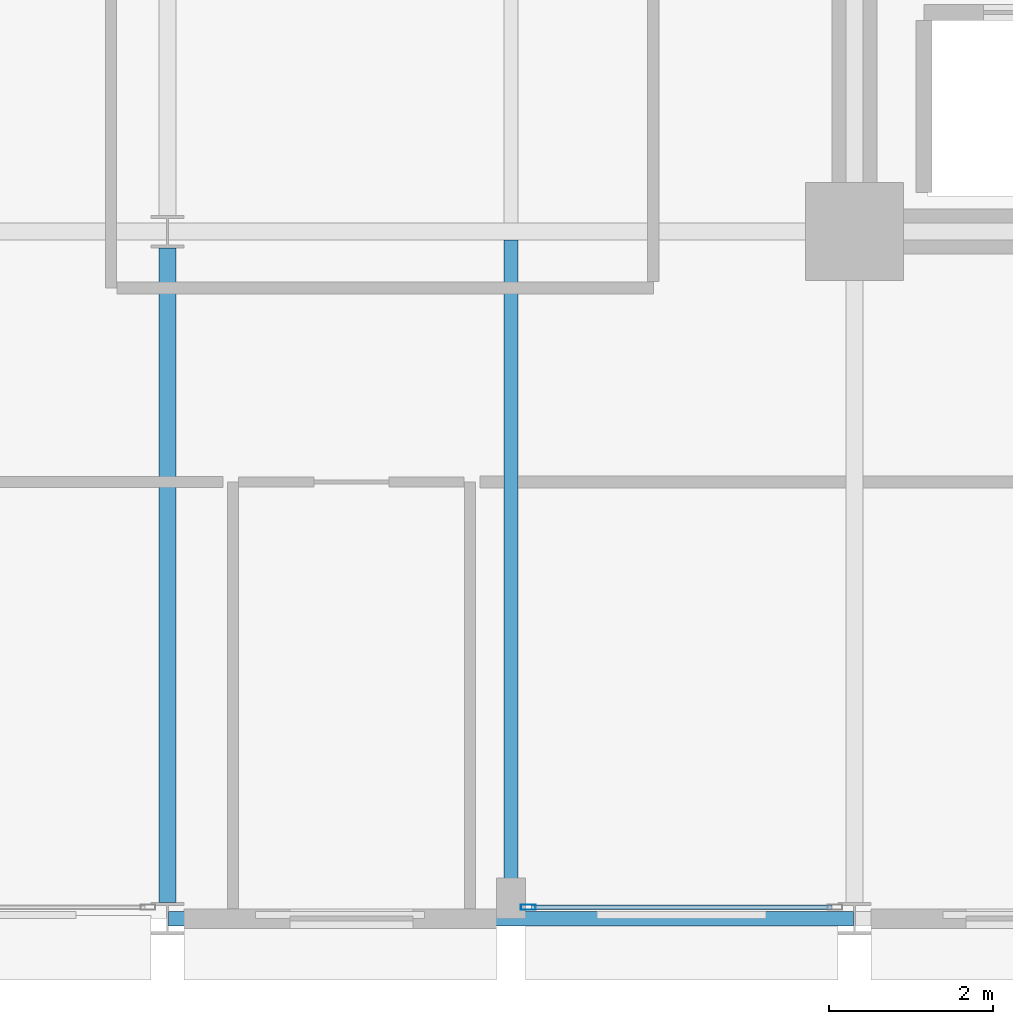
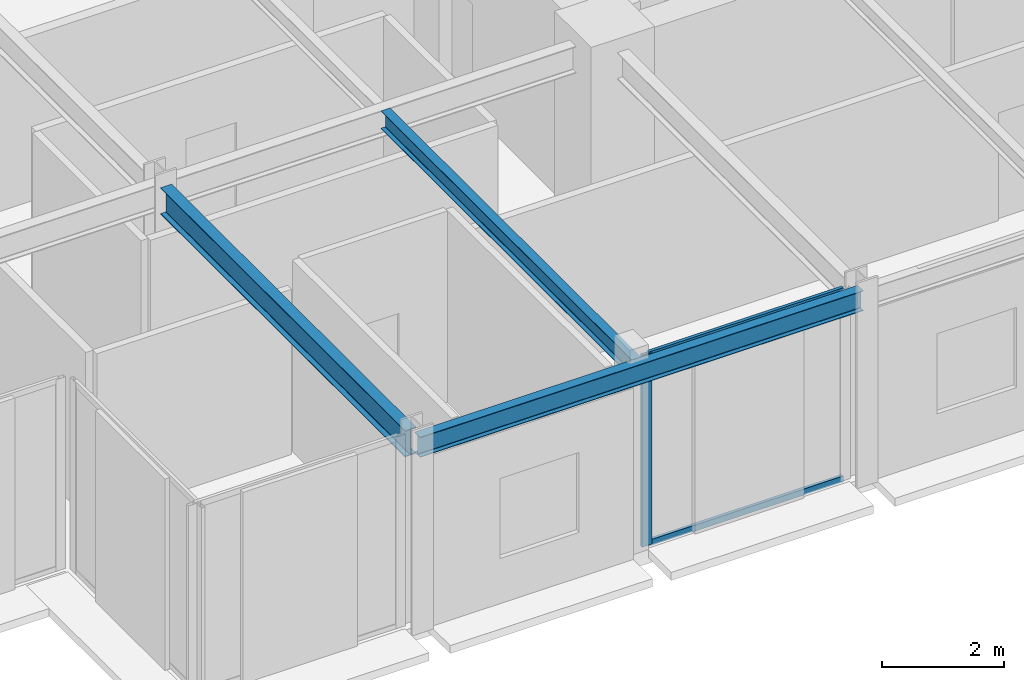
# One storey, part 5 of 39: 3 beams, 3 members, 1 element without a shape of its own.
"""IFC4 building model written with IfcOpenShell, lengths in metres."""

import ifcopenshell
import ifcopenshell.guid

model = None  # the IFC model being written
_history = None  # IfcOwnerHistory: only IFC2X3 demands one
_inside = {}  # id of a spatial element -> (the spatial element, [elements in it])
_under = {}  # id of a project, library or spatial element -> (it, [spatial elements below it])
_declared = {}  # id of a project -> (the project, [libraries it declares])
_typed = {}  # id of a type object -> (the type object, [elements of that type])
_made_of = {}  # id of a material, layer set ... -> (it, [elements and type objects made of it])


def new_model(schema):
    """Start an empty IFC model of exactly this schema.

    Asked for "IFC4X3", IfcOpenShell would pick the latest addendum, in which some entities
    have other attributes; the version numbers below select the first issue.
    IFC2X3 requires an IfcOwnerHistory on every rooted entity: one is made here for all.
    """
    global model, _history
    if schema == "IFC4X3":
        model = ifcopenshell.file(schema_version=(4, 3, 0, 0))
    else:
        model = ifcopenshell.file(schema=schema)
    _inside.clear()
    _under.clear()
    _declared.clear()
    _typed.clear()
    _made_of.clear()
    _history = None
    if model.schema == "IFC2X3":
        org = make("IfcOrganization", Name="unknown")
        user = make(
            "IfcPersonAndOrganization",
            ThePerson=make("IfcPerson", FamilyName="unknown"),
            TheOrganization=org,
        )
        app = make(
            "IfcApplication",
            ApplicationDeveloper=org,
            Version="unknown",
            ApplicationFullName="unknown",
            ApplicationIdentifier="unknown",
        )
        _history = make(
            "IfcOwnerHistory",
            OwningUser=user,
            OwningApplication=app,
            ChangeAction="ADDED",
            CreationDate=0,
        )
    return model


def make(cls, **values):
    """One entity of the class cls with the attributes given. An attribute that is None is left unset."""
    return model.create_entity(
        cls, **{name: value for name, value in values.items() if value is not None}
    )


def rooted(cls, **values):
    """An entity with a GlobalId (a new one), such as an element, a storey or a relation."""
    return make(cls, GlobalId=ifcopenshell.guid.new(), OwnerHistory=_history, **values)


def si_unit(unit_type, name, prefix=None):
    """IfcSIUnit, for example si_unit("LENGTHUNIT", "METRE", prefix="MILLI")."""
    return make("IfcSIUnit", UnitType=unit_type, Prefix=prefix, Name=name)


def assignment(units):
    """IfcUnitAssignment: the units of a project."""
    return None if units is None else make("IfcUnitAssignment", Units=units)


def point(xyz):
    """IfcCartesianPoint."""
    return None if xyz is None else make("IfcCartesianPoint", Coordinates=xyz)


def direction(xyz):
    """IfcDirection."""
    return None if xyz is None else make("IfcDirection", DirectionRatios=xyz)


def frame(location, z_axis=None, x_axis=None):
    """IfcAxis2Placement3D, a coordinate frame: its origin and axes. An axis left out is left unset."""
    return make(
        "IfcAxis2Placement3D",
        Location=point(location),
        Axis=direction(z_axis),
        RefDirection=direction(x_axis),
    )


def frame_2d(location, x_axis=None):
    """IfcAxis2Placement2D, a coordinate frame in the plane: its origin and x axis."""
    return make(
        "IfcAxis2Placement2D", Location=point(location), RefDirection=direction(x_axis)
    )


def origin():
    """The frame at (0, 0, 0) with its axes left unset."""
    return frame((0.0, 0.0, 0.0))


def origin_2d():
    """The frame at (0, 0) in the plane with its x axis left unset."""
    return frame_2d((0.0, 0.0))


def place(relative_to, where):
    """IfcLocalPlacement: puts the frame where relative to a parent placement (None: the world)."""
    return make(
        "IfcLocalPlacement", PlacementRelTo=relative_to, RelativePlacement=where
    )


def context(
    kind, dimensions, precision=None, world=None, true_north=None, identifier=None
):
    """IfcGeometricRepresentationContext, for example the 3D "Model" context."""
    return make(
        "IfcGeometricRepresentationContext",
        ContextIdentifier=identifier,
        ContextType=kind,
        CoordinateSpaceDimension=dimensions,
        Precision=precision,
        WorldCoordinateSystem=world,
        TrueNorth=true_north,
    )


def subcontext(parent, identifier, kind, view, scale=None):
    """IfcGeometricRepresentationSubContext, for example "Body" below "Model"."""
    return make(
        "IfcGeometricRepresentationSubContext",
        ContextIdentifier=identifier,
        ContextType=kind,
        ParentContext=parent,
        TargetScale=scale,
        TargetView=view,
    )


def project(units=None, contexts=None):
    """IfcProject with its units and contexts."""
    return rooted(
        "IfcProject",
        Name="project",
        RepresentationContexts=contexts,
        UnitsInContext=assignment(units),
    )


def spatial(cls, under=None, at=None, **own):
    """A site, building, storey or space (cls), placed at a placement, below another one or the project."""
    s = rooted(cls, ObjectPlacement=at, **own)
    if under is not None:
        _under.setdefault(under.id(), (under, []))[1].append(s)
    return s


def profile(cls, at=None, kind="AREA", **sizes):
    """A parametric profile (cls). Its sizes go by their IFC names, for example OverallWidth=200.0."""
    return make(cls, ProfileType=kind, Position=at, **sizes)


def hollow_rectangle(**sizes):
    """IfcRectangleHollowProfileDef."""
    return profile("IfcRectangleHollowProfileDef", **sizes)


def i_section(**sizes):
    """IfcIShapeProfileDef."""
    return profile("IfcIShapeProfileDef", **sizes)


def extrude(swept, where, along, depth):
    """IfcExtrudedAreaSolid: the profile swept, set in the frame where, extruded along a direction by depth."""
    return make(
        "IfcExtrudedAreaSolid",
        SweptArea=swept,
        Position=where,
        ExtrudedDirection=direction(along),
        Depth=depth,
    )


def shape(context_of_items, identifier, shape_type, items):
    """IfcShapeRepresentation: the items that make up one representation, for example the "Body"."""
    return make(
        "IfcShapeRepresentation",
        ContextOfItems=context_of_items,
        RepresentationIdentifier=identifier,
        RepresentationType=shape_type,
        Items=items,
    )


def material(Name=None, Category=None):
    """IfcMaterial."""
    return make("IfcMaterial", Name=Name, Category=Category)


def layer(
    of_material, thickness, ventilated=None, Name=None, Category=None, Priority=None
):
    """IfcMaterialLayer: one layer of a wall or slab, of a material (None: an air gap)."""
    return make(
        "IfcMaterialLayer",
        Material=of_material,
        LayerThickness=thickness,
        IsVentilated=ventilated,
        Name=Name,
        Category=Category,
        Priority=Priority,
    )


def layer_set(layers, Name=None):
    """IfcMaterialLayerSet."""
    return make("IfcMaterialLayerSet", MaterialLayers=layers, LayerSetName=Name)


def material_profile(
    of_material, cross_section, Name=None, Category=None, Priority=None
):
    """IfcMaterialProfile: a cross section and its material."""
    return make(
        "IfcMaterialProfile",
        Name=Name,
        Material=of_material,
        Profile=cross_section,
        Priority=Priority,
        Category=Category,
    )


def profile_set(profiles, Name=None, composite=None):
    """IfcMaterialProfileSet."""
    return make(
        "IfcMaterialProfileSet",
        Name=Name,
        MaterialProfiles=profiles,
        CompositeProfile=composite,
    )


def made_of(thing, what):
    """Note that an element or type object is made of a material, layer set ...; save() writes the relation."""
    if what is not None:
        _made_of.setdefault(what.id(), (what, []))[1].append(thing)
    return thing


def type_object(cls, material=None, **own):
    """A type object (cls), such as IfcWallType, which elements share."""
    return made_of(rooted(cls, **own), material)


def element(
    cls,
    number,
    at=None,
    inside=None,
    cuts=None,
    type_object=None,
    material=None,
    context=None,
    identifier="Body",
    shape_type=None,
    held_by="IfcProductDefinitionShape",
    body=None,
    shapes=None,
    **own,
):
    """One element of the class cls, such as IfcWall. Its Tag is "e" and its number.

    at: its placement. inside: the storey or other place that contains it. cuts: it is an
    opening in that element (IfcRelVoidsElement). A single representation is given by context,
    identifier, shape_type and body (its items); several are given by shapes. held_by: the class
    of the entity that holds the representations. save() writes the other relations.
    """
    e = rooted(cls, Tag="e%d" % number, ObjectPlacement=at, **own)
    if body is not None:
        shapes = [shape(context, identifier, shape_type, body)]
    if shapes is not None:
        e.Representation = make(held_by, Representations=shapes)
    if inside is not None:
        _inside.setdefault(inside.id(), (inside, []))[1].append(e)
    if cuts is not None:
        rooted(
            "IfcRelVoidsElement", RelatingBuildingElement=cuts, RelatedOpeningElement=e
        )
    if type_object is not None:
        _typed.setdefault(type_object.id(), (type_object, []))[1].append(e)
    return made_of(e, material)


def aggregate(whole, parts):
    """IfcRelAggregates: a whole, such as a stair, and the parts it consists of."""
    return rooted("IfcRelAggregates", RelatingObject=whole, RelatedObjects=parts)


def save(model, path):
    """Write the relations noted so far, then the file.

    IfcRelAggregates (storeys below a building ...), IfcRelContainedInSpatialStructure (elements
    in a storey), IfcRelDefinesByType, IfcRelAssociatesMaterial and IfcRelDeclares: one each for
    every whole, place, type object, material and project.
    """
    for whole, parts in _under.values():
        aggregate(whole, parts)
    for where, things in _inside.values():
        rooted(
            "IfcRelContainedInSpatialStructure",
            RelatedElements=things,
            RelatingStructure=where,
        )
    for kind, things in _typed.values():
        rooted("IfcRelDefinesByType", RelatedObjects=things, RelatingType=kind)
    for what, things in _made_of.values():
        rooted("IfcRelAssociatesMaterial", RelatedObjects=things, RelatingMaterial=what)
    for by, libraries in _declared.values():
        rooted("IfcRelDeclares", RelatingContext=by, RelatedDefinitions=libraries)
    model.write(path)


model = new_model("IFC4")

# Units and contexts
model_context = context("Model", 3, precision=1e-05, world=origin(), true_north=direction((0.0, 1.0)))
body_context = subcontext(model_context, "Body", "Model", "MODEL_VIEW")
ifc_project = project(units=[si_unit("LENGTHUNIT", "METRE"), si_unit("AREAUNIT", "SQUARE_METRE"), si_unit("VOLUMEUNIT", "CUBIC_METRE"), si_unit("PLANEANGLEUNIT", "RADIAN"), si_unit("MASSUNIT", "GRAM", prefix="KILO")], contexts=[model_context])

# Site, building, storey
site_placement = place(None, origin())
site = spatial("IfcSite", under=ifc_project, at=site_placement, CompositionType="ELEMENT")
building_placement = place(site_placement, origin())
building = spatial("IfcBuilding", under=site, at=building_placement, Name="Nerrivon Quay Data Exchange", CompositionType="ELEMENT")
storey_placement = place(building_placement, frame((0.0, 0.0, 104.89990234375)))
storey = spatial("IfcBuildingStorey", under=building, at=storey_placement, Name="L24", CompositionType="ELEMENT", Elevation=104.89990234375)

# Beams
ifc_material_1 = material(Name="Steel Grade 350", Category="steel")
ifc_material_profile_1 = material_profile(ifc_material_1, i_section(OverallWidth=0.208984375, OverallDepth=0.528076171875, WebThickness=0.009521484375, FlangeThickness=0.01318359375, FilletRadius=0.013916015625, at=origin_2d()), Name="530UB82.0")
ifc_profile_set_1 = profile_set([ifc_material_profile_1], Name="Steel Grade 350")
beam_type_1 = type_object("IfcBeamType", Name="BM-G4-530UB82", PredefinedType="BEAM", material=ifc_profile_set_1)
beam_1_placement = place(storey_placement, frame((8.39990234375, 0.199951171875, 3.56103515625), z_axis=(0.0, 1.0, 0.0), x_axis=(-1.0, 0.0, 0.0)))
element("IfcBeam", 1, at=beam_1_placement, inside=storey, type_object=beam_type_1, Name="L24 NS Girder X=8.4 (0.0..8.4)", PredefinedType="BEAM", context=body_context, shape_type="SweptSolid", body=[
    extrude(i_section(OverallWidth=0.208984375, OverallDepth=0.528076171875, WebThickness=0.009521484375, FlangeThickness=0.01318359375, FilletRadius=0.013916015625, at=origin_2d()), origin(), (0.0, 0.0, 1.0), 8.0),
])
ifc_material_profile_2 = material_profile(ifc_material_1, i_section(OverallWidth=0.1708984375, OverallDepth=0.35595703125, WebThickness=0.00732421875, FlangeThickness=0.011474609375, FilletRadius=0.011474609375, at=origin_2d()), Name="360UB50.7")
ifc_profile_set_2 = profile_set([ifc_material_profile_2], Name="Steel Grade 350")
beam_type_2 = type_object("IfcBeamType", Name="BM-J4-360UB51", PredefinedType="JOIST", material=ifc_profile_set_2)
beam_2_placement = place(storey_placement, frame((12.60009765625, 0.089111328125, 3.647216796875), z_axis=(0.0, 1.0, 0.0), x_axis=(-1.0, 0.0, 0.0)))
element("IfcBeam", 2, at=beam_2_placement, inside=storey, type_object=beam_type_2, Name="L24 Secondary Joist X=12.6 (0.0..8.4)", PredefinedType="JOIST", context=body_context, shape_type="SweptSolid", body=[
    extrude(i_section(OverallWidth=0.1708984375, OverallDepth=0.35595703125, WebThickness=0.00732421875, FlangeThickness=0.011474609375, FilletRadius=0.011474609375, at=origin_2d()), origin(), (0.0, 0.0, 1.0), 8.206298828125),
])
ifc_material_profile_3 = material_profile(ifc_material_1, i_section(OverallWidth=0.177978515625, OverallDepth=0.403076171875, WebThickness=0.007568359375, FlangeThickness=0.010986328125, FilletRadius=0.011474609375, at=origin_2d()), Name="410UB53.7")
ifc_profile_set_3 = profile_set([ifc_material_profile_3], Name="Steel Grade 350")
beam_type_3 = type_object("IfcBeamType", Name="BM-SP2-410UB54", PredefinedType="SPANDREL", material=ifc_profile_set_3)
beam_3_placement = place(storey_placement, frame((8.41259765625, 0.0, 3.62353515625), z_axis=(1.0, 0.0, 0.0), x_axis=(0.0, 1.0, 0.0)))
element("IfcBeam", 3, at=beam_3_placement, inside=storey, type_object=beam_type_3, Name="L24 EW Girder Y=0.0 (8.4..16.8)", PredefinedType="SPANDREL", context=body_context, shape_type="SweptSolid", body=[
    extrude(i_section(OverallWidth=0.177978515625, OverallDepth=0.403076171875, WebThickness=0.007568359375, FlangeThickness=0.010986328125, FilletRadius=0.011474609375, at=origin_2d()), origin(), (0.0, 0.0, 1.0), 8.375),
])

# Curtain wall, members
ifc_material_2 = material(Name="Anodised aluminium 6063-T6", Category="aluminium")
ifc_layer = layer(ifc_material_2, 0.2099609375)
ifc_layer_set = layer_set([ifc_layer], Name="Anodised aluminium 6063-T6")
curtain_wall_type = type_object("IfcCurtainWallType", Name="CW-SYS-02", PredefinedType="NOTDEFINED", material=ifc_layer_set)
curtain_wall_placement = place(storey_placement, origin())
curtain_wall = element("IfcCurtainWall", 4, at=curtain_wall_placement, inside=storey, type_object=curtain_wall_type, Name="L24 Unitised Curtain Wall 12", PredefinedType="NOTDEFINED")
ifc_material_profile_4 = material_profile(ifc_material_2, hollow_rectangle(XDim=0.06494140625, YDim=0.179931640625, WallThickness=0.00341796875, at=origin_2d()), Name="ALU-MULL-180x65")
ifc_profile_set_4 = profile_set([ifc_material_profile_4], Name="Anodised aluminium 6063-T6")
member_type_1 = type_object("IfcMemberType", Name="CWM-180x65", PredefinedType="MULLION", material=ifc_profile_set_4)
member_1_placement = place(storey_placement, frame((12.8125, 0.139892578125, 0.0), z_axis=(0.0, 0.0, 1.0), x_axis=(0.0, -1.0, 0.0)))
member_1 = element("IfcMember", 5, at=member_1_placement, type_object=member_type_1, Name="CW02 mullion 2", PredefinedType="MULLION", context=body_context, shape_type="SweptSolid", body=[
    extrude(hollow_rectangle(XDim=0.06494140625, YDim=0.179931640625, WallThickness=0.00341796875, at=origin_2d()), origin(), (0.0, 0.0, 1.0), 3.8251953125),
])
ifc_material_profile_5 = material_profile(ifc_material_2, hollow_rectangle(XDim=0.06005859375, YDim=0.1201171875, WallThickness=0.003173828125, at=origin_2d()), Name="ALU-TRAN-120x60")
ifc_profile_set_5 = profile_set([ifc_material_profile_5], Name="Anodised aluminium 6063-T6")
member_type_2 = type_object("IfcMemberType", Name="CWT-120x60", PredefinedType="USERDEFINED", material=ifc_profile_set_5)
member_2_placement = place(storey_placement, frame((16.52490234375, 0.139892578125, 0.03271484375), z_axis=(-1.0, 0.0, 0.0), x_axis=(0.0, -1.0, 0.0)))
member_2 = element("IfcMember", 6, at=member_2_placement, type_object=member_type_2, Name="CW02 transom 1.1", ObjectType="TRANSOM", PredefinedType="USERDEFINED", context=body_context, shape_type="SweptSolid", body=[
    extrude(hollow_rectangle(XDim=0.06005859375, YDim=0.1201171875, WallThickness=0.003173828125, at=origin_2d()), origin(), (0.0, 0.0, 1.0), 3.6748046875),
])
member_3_placement = place(storey_placement, frame((16.52490234375, 0.139892578125, 3.79248046875), z_axis=(-1.0, 0.0, 0.0), x_axis=(0.0, -1.0, 0.0)))
member_3 = element("IfcMember", 7, at=member_3_placement, type_object=member_type_2, Name="CW02 transom 1.2", ObjectType="TRANSOM", PredefinedType="USERDEFINED", context=body_context, shape_type="SweptSolid", body=[
    extrude(hollow_rectangle(XDim=0.06005859375, YDim=0.1201171875, WallThickness=0.003173828125, at=origin_2d()), origin(), (0.0, 0.0, 1.0), 3.6748046875),
])
aggregate(curtain_wall, [member_1, member_2, member_3])

save(model, "model.ifc")
